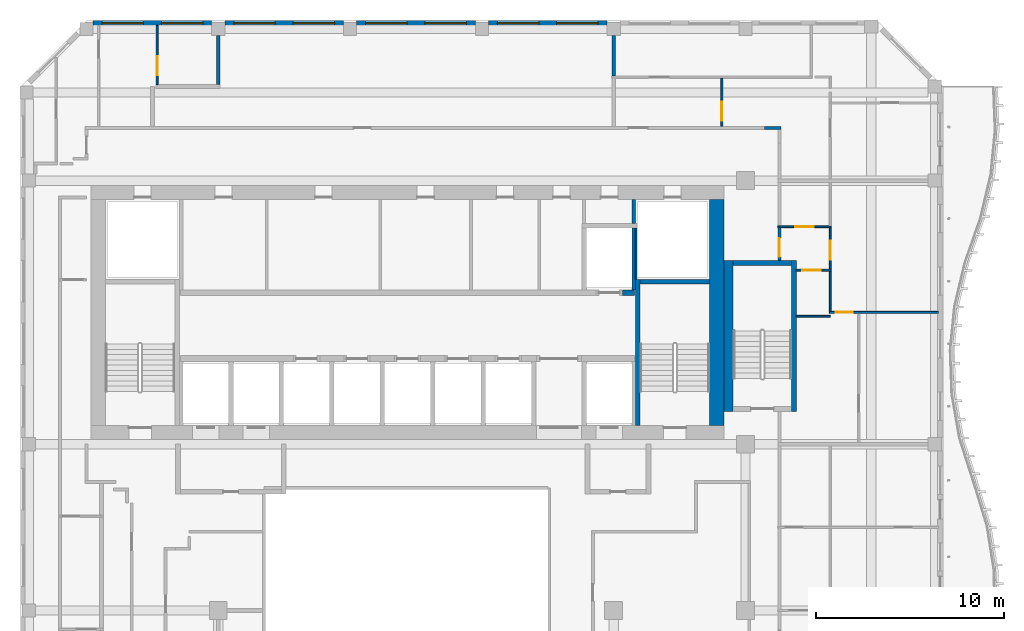
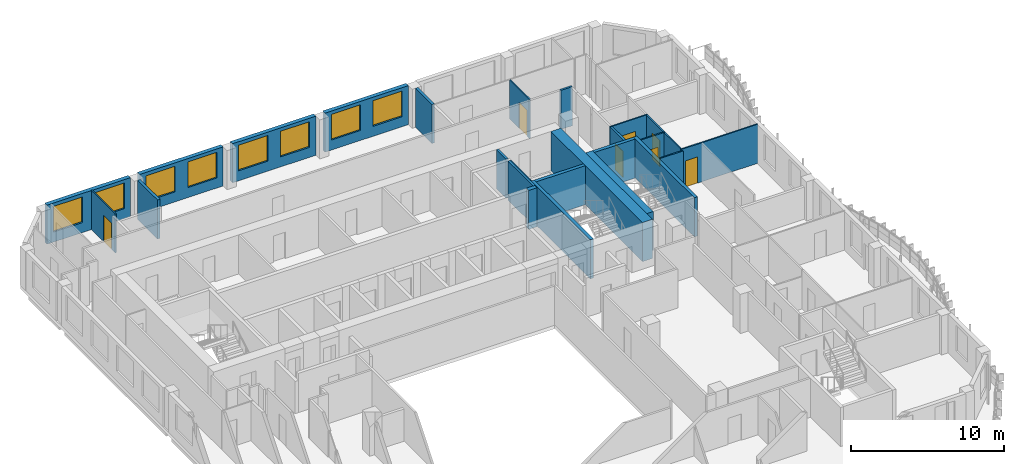
# One storey, part 8 of 19: 26 walls, 8 windows, 7 doors, 15 openings.
"""IFC4 building model written with IfcOpenShell, lengths in metres."""

from ifc_helpers import new_model, si_unit, direction, frame, frame_2d, origin, place, context, subcontext, project, spatial, rectangle, extrude, source, transform, mapped, material, layer, layer_set, type_object, element, fill, save


model = new_model("IFC4")

# Units and contexts
model_context = context("Model", 3, precision=1e-05, world=origin(), true_north=direction((0.0, 1.0)))
body_context = subcontext(model_context, "Body", "Model", "MODEL_VIEW")
ifc_project = project(units=[si_unit("LENGTHUNIT", "METRE"), si_unit("AREAUNIT", "SQUARE_METRE"), si_unit("VOLUMEUNIT", "CUBIC_METRE"), si_unit("PLANEANGLEUNIT", "RADIAN"), si_unit("MASSUNIT", "GRAM", prefix="KILO")], contexts=[model_context])

# Site, building, storey
site_placement = place(None, origin())
site = spatial("IfcSite", under=ifc_project, at=site_placement, CompositionType="ELEMENT")
building_placement = place(site_placement, origin())
building = spatial("IfcBuilding", under=site, at=building_placement, Name="Kilnfold Tower and Market Hall", CompositionType="ELEMENT")
storey_placement = place(building_placement, frame((0.0, 0.0, 242.39990234375)))
storey = spatial("IfcBuildingStorey", under=building, at=storey_placement, Name="L58", CompositionType="ELEMENT", Elevation=242.39990234375)

# Wall, opening, door
ifc_material_1 = material(Name="Gypsum board on steel studs", Category="steel")
ifc_layer_1 = layer(ifc_material_1, 0.14990234375)
ifc_layer_set_1 = layer_set([ifc_layer_1], Name="Gypsum board on steel studs")
wall_type_1 = type_object("IfcWallType", Name="WALL CORRIDOR 150", PredefinedType="PARTITIONING", material=ifc_layer_set_1)
wall_1_placement = place(storey_placement, frame((20.800048828125, 17.75, 0.0), z_axis=(0.0, 0.0, 1.0), x_axis=(0.0, 1.0, 0.0)))
wall_1 = element("IfcWall", 1, at=wall_1_placement, inside=storey, type_object=wall_type_1, Name="Partition LY35.17", PredefinedType="PARTITIONING", context=body_context, shape_type="SweptSolid", body=[
    extrude(rectangle(XDim=1.761962890625, YDim=0.14990234375, at=frame_2d((0.880859375, 0.0))), origin(), (0.0, 0.0, 1.0), 3.1201171875),
])
opening_1_placement = place(wall_1_placement, frame((0.199951171875, 0.0, 0.0)))
opening_1 = element("IfcOpeningElement", 2, at=opening_1_placement, cuts=wall_1, Name="Opening D1", PredefinedType="OPENING", context=body_context, shape_type="SweptSolid", body=[
    extrude(rectangle(XDim=1.0, YDim=2.10009765625, at=frame_2d((0.5, 1.050048828125))), frame((0.0, 0.0849609375, 0.0), z_axis=(0.0, -1.0, 0.0), x_axis=(1.0, 0.0, 0.0)), (0.0, 0.0, 1.0), 0.169921875),
])
ifc_material_2 = material(Name="Timber veneer door leaf in steel frame", Category="steel")
door_type_1 = type_object("IfcDoorType", Name="DOOR ENTRY 1000 X2100", OperationType="NOTDEFINED", PredefinedType="DOOR", material=ifc_material_2)
door_1_placement = place(opening_1_placement, origin())
door_1 = element("IfcDoor", 3, at=door_1_placement, inside=storey, type_object=door_type_1, Name="Door D1", OperationType="SINGLE_SWING_LEFT", OverallHeight=2.10009765625, OverallWidth=1.0, PredefinedType="DOOR", context=body_context, shape_type="SweptSolid", body=[
    extrude(rectangle(XDim=1.0, YDim=2.10009765625, at=frame_2d((0.5, 1.050048828125))), frame((0.0, 0.02490234375, 0.0), z_axis=(0.0, -1.0, 0.0), x_axis=(1.0, 0.0, 0.0)), (0.0, 0.0, 1.0), 0.050048828125),
])
fill(opening_1, door_1)

# Wall
wall_2_placement = place(storey_placement, frame((20.876953125, 24.802001953125, 0.0), z_axis=(0.0, 0.0, 1.0), x_axis=(-1.0, 0.0, 0.0)))
element("IfcWall", 4, at=wall_2_placement, inside=storey, type_object=wall_type_1, Name="Partition LY35.19", PredefinedType="PARTITIONING", context=body_context, shape_type="SweptSolid", body=[
    extrude(rectangle(XDim=0.87890625, YDim=0.14990234375, at=frame_2d((0.439453125, 0.0))), origin(), (0.0, 0.0, 1.0), 3.1201171875),
])

# Wall, opening, door
ifc_material_3 = material(Name="Gypsum board on steel studs", Category="steel")
ifc_layer_2 = layer(ifc_material_3, 0.10009765625)
ifc_layer_set_2 = layer_set([ifc_layer_2], Name="Gypsum board on steel studs")
wall_type_2 = type_object("IfcWallType", Name="WALL PARTITION 100", PredefinedType="PARTITIONING", material=ifc_layer_set_2)
wall_3_placement = place(storey_placement, frame((23.451904296875, 15.0, 0.0), z_axis=(0.0, 0.0, 1.0), x_axis=(1.0, 0.0, 0.0)))
wall_3 = element("IfcWall", 5, at=wall_3_placement, inside=storey, type_object=wall_type_2, Name="Partition LY35.81", PredefinedType="PARTITIONING", context=body_context, shape_type="SweptSolid", body=[
    extrude(rectangle(XDim=5.798095703125, YDim=0.10009765625, at=frame_2d((2.89892578125, 0.0))), origin(), (0.0, 0.0, 1.0), 3.1201171875),
])
opening_2_placement = place(wall_3_placement, frame((0.3369140625, 0.0, 0.0)))
opening_2 = element("IfcOpeningElement", 6, at=opening_2_placement, cuts=wall_3, Name="Opening D2", PredefinedType="OPENING", context=body_context, shape_type="SweptSolid", body=[
    extrude(rectangle(XDim=0.89990234375, YDim=2.10009765625, at=frame_2d((0.449951171875, 1.050048828125))), frame((0.0, 0.06005859375, 0.0), z_axis=(0.0, -1.0, 0.0), x_axis=(1.0, 0.0, 0.0)), (0.0, 0.0, 1.0), 0.1201171875),
])
ifc_material_4 = material(Name="Timber veneer door leaf in steel frame", Category="steel")
door_type_2 = type_object("IfcDoorType", Name="DOOR ROOM 900 X2100", OperationType="NOTDEFINED", PredefinedType="DOOR", material=ifc_material_4)
door_2_placement = place(opening_2_placement, origin())
door_2 = element("IfcDoor", 7, at=door_2_placement, inside=storey, type_object=door_type_2, Name="Door D2", OperationType="SINGLE_SWING_LEFT", OverallHeight=2.10009765625, OverallWidth=0.89990234375, PredefinedType="DOOR", context=body_context, shape_type="SweptSolid", body=[
    extrude(rectangle(XDim=0.89990234375, YDim=2.10009765625, at=frame_2d((0.449951171875, 1.050048828125))), frame((0.0, 0.02490234375, 0.0), z_axis=(0.0, -1.0, 0.0), x_axis=(1.0, 0.0, 0.0)), (0.0, 0.0, 1.0), 0.050048828125),
])
fill(opening_2, door_2)

# Walls
wall_4_placement = place(storey_placement, frame((23.5009765625, 14.798095703125, 0.0), z_axis=(0.0, 0.0, 1.0), x_axis=(-1.0, 0.0, 0.0)))
element("IfcWall", 8, at=wall_4_placement, inside=storey, type_object=wall_type_2, Name="Partition LY35.82", PredefinedType="PARTITIONING", context=body_context, shape_type="SweptSolid", body=[
    extrude(rectangle(XDim=1.801025390625, YDim=0.10009765625, at=frame_2d((0.900390625, 0.0))), origin(), (0.0, 0.0, 1.0), 3.1201171875),
])
wall_5_placement = place(storey_placement, frame((23.501953125, 15.050048828125, 0.0), z_axis=(0.0, 0.0, 1.0), x_axis=(0.0, 1.0, 0.0)))
element("IfcWall", 9, at=wall_5_placement, inside=storey, type_object=wall_type_2, Name="Partition LY35.83", PredefinedType="PARTITIONING", context=body_context, shape_type="SweptSolid", body=[
    extrude(rectangle(XDim=2.157958984375, YDim=0.10009765625, at=frame_2d((1.0791015625, 0.0))), origin(), (0.0, 0.0, 1.0), 3.1201171875),
])

# Wall, opening, door
wall_6_placement = place(storey_placement, frame((23.501953125, 17.2880859375, 0.0), z_axis=(0.0, 0.0, 1.0), x_axis=(0.0, 1.0, 0.0)))
wall_6 = element("IfcWall", 10, at=wall_6_placement, inside=storey, type_object=wall_type_2, Name="Partition LY35.84", PredefinedType="PARTITIONING", context=body_context, shape_type="SweptSolid", body=[
    extrude(rectangle(XDim=2.223876953125, YDim=0.10009765625, at=frame_2d((1.11181640625, 0.0))), origin(), (0.0, 0.0, 1.0), 3.1201171875),
])
opening_3_placement = place(wall_6_placement, frame((0.509033203125, 0.0, 0.0)))
opening_3 = element("IfcOpeningElement", 11, at=opening_3_placement, cuts=wall_6, Name="Opening D1", PredefinedType="OPENING", context=body_context, shape_type="SweptSolid", body=[
    extrude(rectangle(XDim=1.0, YDim=2.10009765625, at=frame_2d((0.5, 1.050048828125))), frame((0.0, 0.06005859375, 0.0), z_axis=(0.0, -1.0, 0.0), x_axis=(1.0, 0.0, 0.0)), (0.0, 0.0, 1.0), 0.1201171875),
])
door_3_placement = place(opening_3_placement, origin())
door_3 = element("IfcDoor", 12, at=door_3_placement, inside=storey, type_object=door_type_1, Name="Door D1", OperationType="SINGLE_SWING_LEFT", OverallHeight=2.10009765625, OverallWidth=1.0, PredefinedType="DOOR", context=body_context, shape_type="SweptSolid", body=[
    extrude(rectangle(XDim=1.0, YDim=2.10009765625, at=frame_2d((0.5, 1.050048828125))), frame((0.0, 0.02490234375, 0.0), z_axis=(0.0, -1.0, 0.0), x_axis=(1.0, 0.0, 0.0)), (0.0, 0.0, 1.0), 0.050048828125),
])
fill(opening_3, door_3)

wall_7_placement = place(storey_placement, frame((23.550048828125, 17.248046875, 0.0), z_axis=(0.0, 0.0, 1.0), x_axis=(-1.0, 0.0, 0.0)))
wall_7 = element("IfcWall", 13, at=wall_7_placement, inside=storey, type_object=wall_type_2, Name="Partition LY35.86", PredefinedType="PARTITIONING", context=body_context, shape_type="SweptSolid", body=[
    extrude(rectangle(XDim=1.85009765625, YDim=0.10009765625, at=frame_2d((0.925048828125, 0.0))), origin(), (0.0, 0.0, 1.0), 3.1201171875),
])
opening_4_placement = place(wall_7_placement, frame((0.5380859375, 0.0, 0.0)))
opening_4 = element("IfcOpeningElement", 14, at=opening_4_placement, cuts=wall_7, Name="Opening D1", PredefinedType="OPENING", context=body_context, shape_type="SweptSolid", body=[
    extrude(rectangle(XDim=1.0, YDim=2.10009765625, at=frame_2d((0.5, 1.050048828125))), frame((0.0, 0.06005859375, 0.0), z_axis=(0.0, -1.0, 0.0), x_axis=(1.0, 0.0, 0.0)), (0.0, 0.0, 1.0), 0.1201171875),
])
door_4_placement = place(opening_4_placement, origin())
door_4 = element("IfcDoor", 15, at=door_4_placement, inside=storey, type_object=door_type_1, Name="Door D1", OperationType="SINGLE_SWING_LEFT", OverallHeight=2.10009765625, OverallWidth=1.0, PredefinedType="DOOR", context=body_context, shape_type="SweptSolid", body=[
    extrude(rectangle(XDim=1.0, YDim=2.10009765625, at=frame_2d((0.5, 1.050048828125))), frame((0.0, 0.02490234375, 0.0), z_axis=(0.0, -1.0, 0.0), x_axis=(1.0, 0.0, 0.0)), (0.0, 0.0, 1.0), 0.050048828125),
])
fill(opening_4, door_4)

wall_8_placement = place(storey_placement, frame((23.550048828125, 19.552001953125, 0.0), z_axis=(0.0, 0.0, 1.0), x_axis=(-1.0, 0.0, 0.0)))
wall_8 = element("IfcWall", 16, at=wall_8_placement, inside=storey, type_object=wall_type_2, Name="Partition LY35.87", PredefinedType="PARTITIONING", context=body_context, shape_type="SweptSolid", body=[
    extrude(rectangle(XDim=2.822998046875, YDim=0.10009765625, at=frame_2d((1.41162109375, 0.0))), origin(), (0.0, 0.0, 1.0), 3.1201171875),
])
opening_5_placement = place(wall_8_placement, frame((0.912109375, 0.0, 0.0)))
opening_5 = element("IfcOpeningElement", 17, at=opening_5_placement, cuts=wall_8, Name="Opening D1", PredefinedType="OPENING", context=body_context, shape_type="SweptSolid", body=[
    extrude(rectangle(XDim=1.0, YDim=2.10009765625, at=frame_2d((0.5, 1.050048828125))), frame((0.0, 0.06005859375, 0.0), z_axis=(0.0, -1.0, 0.0), x_axis=(1.0, 0.0, 0.0)), (0.0, 0.0, 1.0), 0.1201171875),
])
door_5_placement = place(opening_5_placement, origin())
door_5 = element("IfcDoor", 18, at=door_5_placement, inside=storey, type_object=door_type_1, Name="Door D1", OperationType="SINGLE_SWING_RIGHT", OverallHeight=2.10009765625, OverallWidth=1.0, PredefinedType="DOOR", context=body_context, shape_type="SweptSolid", body=[
    extrude(rectangle(XDim=1.0, YDim=2.10009765625, at=frame_2d((0.5, 1.050048828125))), frame((0.0, 0.02490234375, 0.0), z_axis=(0.0, -1.0, 0.0), x_axis=(1.0, 0.0, 0.0)), (0.0, 0.0, 1.0), 0.050048828125),
])
fill(opening_5, door_5)

wall_9_placement = place(storey_placement, frame((17.75, 24.876953125, 0.0), z_axis=(0.0, 0.0, 1.0), x_axis=(0.0, 1.0, 0.0)))
wall_9 = element("IfcWall", 19, at=wall_9_placement, inside=storey, type_object=wall_type_2, Name="Partition LY35.89", PredefinedType="PARTITIONING", context=body_context, shape_type="SweptSolid", body=[
    extrude(rectangle(XDim=2.572998046875, YDim=0.10009765625, at=frame_2d((1.28662109375, 0.0))), origin(), (0.0, 0.0, 1.0), 3.1201171875),
])
opening_6_placement = place(wall_9_placement, frame((0.306884765625, 0.0, 0.0)))
opening_6 = element("IfcOpeningElement", 20, at=opening_6_placement, cuts=wall_9, Name="Opening D1", PredefinedType="OPENING", context=body_context, shape_type="SweptSolid", body=[
    extrude(rectangle(XDim=1.0, YDim=2.10009765625, at=frame_2d((0.5, 1.050048828125))), frame((0.0, 0.06005859375, 0.0), z_axis=(0.0, -1.0, 0.0), x_axis=(1.0, 0.0, 0.0)), (0.0, 0.0, 1.0), 0.1201171875),
])
door_6_placement = place(opening_6_placement, origin())
door_6 = element("IfcDoor", 21, at=door_6_placement, inside=storey, type_object=door_type_1, Name="Door D1", OperationType="SINGLE_SWING_RIGHT", OverallHeight=2.10009765625, OverallWidth=1.0, PredefinedType="DOOR", context=body_context, shape_type="SweptSolid", body=[
    extrude(rectangle(XDim=1.0, YDim=2.10009765625, at=frame_2d((0.5, 1.050048828125))), frame((0.0, 0.02490234375, 0.0), z_axis=(0.0, -1.0, 0.0), x_axis=(1.0, 0.0, 0.0)), (0.0, 0.0, 1.0), 0.050048828125),
])
fill(opening_6, door_6)

wall_10_placement = place(storey_placement, frame((-12.25, 27.10009765625, 0.0), z_axis=(0.0, 0.0, 1.0), x_axis=(0.0, 1.0, 0.0)))
wall_10 = element("IfcWall", 22, at=wall_10_placement, inside=storey, type_object=wall_type_2, Name="Partition LY35.104", PredefinedType="PARTITIONING", context=body_context, shape_type="SweptSolid", body=[
    extrude(rectangle(XDim=3.14990234375, YDim=0.10009765625, at=frame_2d((1.574951171875, 0.0))), origin(), (0.0, 0.0, 1.0), 3.1201171875),
])
opening_7_placement = place(wall_10_placement, frame((0.509033203125, 0.0, 0.0)))
opening_7 = element("IfcOpeningElement", 23, at=opening_7_placement, cuts=wall_10, Name="Opening D1", PredefinedType="OPENING", context=body_context, shape_type="SweptSolid", body=[
    extrude(rectangle(XDim=1.0, YDim=2.10009765625, at=frame_2d((0.5, 1.050048828125))), frame((0.0, 0.06005859375, 0.0), z_axis=(0.0, -1.0, 0.0), x_axis=(1.0, 0.0, 0.0)), (0.0, 0.0, 1.0), 0.1201171875),
])
door_7_placement = place(opening_7_placement, origin())
door_7 = element("IfcDoor", 24, at=door_7_placement, inside=storey, type_object=door_type_1, Name="Door D1", OperationType="SINGLE_SWING_RIGHT", OverallHeight=2.10009765625, OverallWidth=1.0, PredefinedType="DOOR", context=body_context, shape_type="SweptSolid", body=[
    extrude(rectangle(XDim=1.0, YDim=2.10009765625, at=frame_2d((0.5, 1.050048828125))), frame((0.0, 0.02490234375, 0.0), z_axis=(0.0, -1.0, 0.0), x_axis=(1.0, 0.0, 0.0)), (0.0, 0.0, 1.0), 0.050048828125),
])
fill(opening_7, door_7)

# Walls
ifc_material_5 = material(Name="Gypsum board on steel studs", Category="steel")
ifc_layer_3 = layer(ifc_material_5, 0.199951171875)
ifc_layer_set_3 = layer_set([ifc_layer_3], Name="Gypsum board on steel studs")
wall_type_3 = type_object("IfcWallType", Name="WALL PARTY 200", PredefinedType="PARTITIONING", material=ifc_layer_set_3)
wall_11_placement = place(storey_placement, frame((12.0, 27.552001953125, 0.0), z_axis=(0.0, 0.0, 1.0), x_axis=(0.0, 1.0, 0.0)))
element("IfcWall", 25, at=wall_11_placement, inside=storey, type_object=wall_type_3, Name="Partition LY35.97", PredefinedType="PARTITIONING", context=body_context, shape_type="SweptSolid", body=[
    extrude(rectangle(XDim=2.14794921875, YDim=0.199951171875, at=frame_2d((1.073974609375, 0.0))), origin(), (0.0, 0.0, 1.0), 3.1201171875),
])
wall_12_placement = place(storey_placement, frame((-9.0, 27.10009765625, 0.0), z_axis=(0.0, 0.0, 1.0), x_axis=(0.0, 1.0, 0.0)))
element("IfcWall", 26, at=wall_12_placement, inside=storey, type_object=wall_type_3, Name="Partition LY35.101", PredefinedType="PARTITIONING", context=body_context, shape_type="SweptSolid", body=[
    extrude(rectangle(XDim=2.599853515625, YDim=0.199951171875, at=frame_2d((1.2998046875, 0.0))), origin(), (0.0, 0.0, 1.0), 3.1201171875),
])
ifc_material_6 = material(Name="Concrete C60", Category="concrete")
ifc_layer_4 = layer(ifc_material_6, 0.25)
ifc_layer_set_4 = layer_set([ifc_layer_4], Name="Concrete C60")
wall_type_4 = type_object("IfcWallType", Name="CORE WALL 250 C60", PredefinedType="SHEAR", material=ifc_layer_set_4)
shared_shape_1 = source(origin(), body_context, "Body", "SweptSolid", [
    extrude(rectangle(XDim=7.75, YDim=0.25, at=frame_2d((3.875, 0.0))), origin(), (0.0, 0.0, 1.0), 3.1201171875),
])
wall_13_placement = place(storey_placement, frame((13.27490234375, 9.0, 0.0), z_axis=(0.0, 0.0, 1.0), x_axis=(0.0, 1.0, 0.0)))
element("IfcWall", 27, at=wall_13_placement, inside=storey, type_object=wall_type_4, Name="Stair enclosure ST2", PredefinedType="SHEAR", context=body_context, shape_type="MappedRepresentation", body=[
    mapped(shared_shape_1, transform((0.0, 0.0, 0.0))),
])
shared_shape_2 = source(origin(), body_context, "Body", "SweptSolid", [
    extrude(rectangle(XDim=3.7001953125, YDim=0.25, at=frame_2d((1.85009765625, 0.0))), origin(), (0.0, 0.0, 1.0), 3.1201171875),
])
wall_14_placement = place(storey_placement, frame((13.39990234375, 16.625, 0.0), z_axis=(0.0, 0.0, 1.0), x_axis=(1.0, 0.0, 0.0)))
element("IfcWall", 28, at=wall_14_placement, inside=storey, type_object=wall_type_4, Name="Stair enclosure ST2", PredefinedType="SHEAR", context=body_context, shape_type="MappedRepresentation", body=[
    mapped(shared_shape_2, transform((0.0, 0.0, 0.0))),
])
shared_shape_3 = source(origin(), body_context, "Body", "SweptSolid", [
    extrude(rectangle(XDim=8.0, YDim=0.25, at=frame_2d((4.0, 0.0))), origin(), (0.0, 0.0, 1.0), 3.1201171875),
])
wall_15_placement = place(storey_placement, frame((21.574951171875, 9.75, 0.0), z_axis=(0.0, 0.0, 1.0), x_axis=(0.0, 1.0, 0.0)))
element("IfcWall", 29, at=wall_15_placement, inside=storey, type_object=wall_type_4, Name="Stair enclosure ST5", PredefinedType="SHEAR", context=body_context, shape_type="MappedRepresentation", body=[
    mapped(shared_shape_3, transform((0.0, 0.0, 0.0))),
])
shared_shape_4 = source(origin(), body_context, "Body", "SweptSolid", [
    extrude(rectangle(XDim=3.099853515625, YDim=0.25, at=frame_2d((1.5498046875, 0.0))), origin(), (0.0, 0.0, 1.0), 3.1201171875),
])
wall_16_placement = place(storey_placement, frame((18.35009765625, 17.625, 0.0), z_axis=(0.0, 0.0, 1.0), x_axis=(1.0, 0.0, 0.0)))
element("IfcWall", 30, at=wall_16_placement, inside=storey, type_object=wall_type_4, Name="Stair enclosure ST5", PredefinedType="SHEAR", context=body_context, shape_type="MappedRepresentation", body=[
    mapped(shared_shape_4, transform((0.0, 0.0, 0.0))),
])
ifc_material_7 = material(Name="Concrete C60", Category="concrete")
ifc_layer_5 = layer(ifc_material_7, 0.300048828125)
ifc_layer_set_5 = layer_set([ifc_layer_5], Name="Concrete C60")
wall_type_5 = type_object("IfcWallType", Name="CORE WALL 300 C60", PredefinedType="SHEAR", material=ifc_layer_set_5)
shared_shape_5 = source(origin(), body_context, "Body", "SweptSolid", [
    extrude(rectangle(XDim=0.64013671875, YDim=0.300048828125, at=frame_2d((0.320068359375, 0.0))), origin(), (0.0, 0.0, 1.0), 3.1201171875),
])
wall_17_placement = place(storey_placement, frame((12.469970703125, 16.050048828125, 0.0), z_axis=(0.0, 0.0, 1.0), x_axis=(1.0, 0.0, 0.0)))
element("IfcWall", 31, at=wall_17_placement, inside=storey, type_object=wall_type_5, Name="Core spine wall", PredefinedType="SHEAR", context=body_context, shape_type="MappedRepresentation", body=[
    mapped(shared_shape_5, transform((0.0, 0.0, 0.0))),
])
ifc_material_8 = material(Name="Concrete C60", Category="concrete")
ifc_layer_6 = layer(ifc_material_8, 0.75)
ifc_layer_set_6 = layer_set([ifc_layer_6], Name="Concrete C60")
wall_type_6 = type_object("IfcWallType", Name="CORE WALL 750 C60", PredefinedType="SHEAR", material=ifc_layer_set_6)
shared_shape_6 = source(origin(), body_context, "Body", "SweptSolid", [
    extrude(rectangle(XDim=12.0, YDim=0.75, at=frame_2d((6.0, 0.0))), origin(), (0.0, 0.0, 1.0), 3.1201171875),
])
wall_18_placement = place(storey_placement, frame((17.47509765625, 9.0, 0.0), z_axis=(0.0, 0.0, 1.0), x_axis=(0.0, 1.0, 0.0)))
element("IfcWall", 32, at=wall_18_placement, inside=storey, type_object=wall_type_6, Name="Core outer wall east", PredefinedType="SHEAR", context=body_context, shape_type="MappedRepresentation", body=[
    mapped(shared_shape_6, transform((0.0, 0.0, 0.0))),
])
ifc_material_9 = material(Name="Concrete C60", Category="concrete")
ifc_layer_7 = layer(ifc_material_9, 0.5)
ifc_layer_set_7 = layer_set([ifc_layer_7], Name="Concrete C60")
wall_type_7 = type_object("IfcWallType", Name="CORE WALL 500 C60", PredefinedType="SHEAR", material=ifc_layer_set_7)
shared_shape_7 = source(origin(), body_context, "Body", "SweptSolid", [
    extrude(rectangle(XDim=8.0, YDim=0.5, at=frame_2d((4.0, 0.0))), origin(), (0.0, 0.0, 1.0), 3.1201171875),
])
wall_19_placement = place(storey_placement, frame((18.10009765625, 9.75, 0.0), z_axis=(0.0, 0.0, 1.0), x_axis=(0.0, 1.0, 0.0)))
element("IfcWall", 33, at=wall_19_placement, inside=storey, type_object=wall_type_7, Name="Stair enclosure ST5", PredefinedType="SHEAR", context=body_context, shape_type="MappedRepresentation", body=[
    mapped(shared_shape_7, transform((0.0, 0.0, 0.0))),
])

# Wall, openings, windows
ifc_material_10 = material(Name="Precast concrete C50/60", Category="concrete")
ifc_layer_8 = layer(ifc_material_10, 0.300048828125)
ifc_layer_set_8 = layer_set([ifc_layer_8], Name="Precast concrete C50/60")
wall_type_8 = type_object("IfcWallType", Name="PRECAST WALL 300", PredefinedType="SOLIDWALL", material=ifc_layer_set_8)
shared_shape_8 = source(origin(), body_context, "Body", "SweptSolid", [
    extrude(rectangle(XDim=6.2998046875, YDim=0.300048828125, at=frame_2d((3.14990234375, 0.0))), origin(), (0.0, 0.0, 1.0), 3.1201171875),
])
wall_20_placement = place(storey_placement, frame((11.64990234375, 30.35009765625, 0.0), z_axis=(0.0, 0.0, 1.0), x_axis=(-1.0, 0.0, 0.0)))
wall_20 = element("IfcWall", 34, at=wall_20_placement, inside=storey, type_object=wall_type_8, Name="External wall L58 N", PredefinedType="SOLIDWALL", context=body_context, shape_type="MappedRepresentation", body=[
    mapped(shared_shape_8, transform((0.0, 0.0, 0.0))),
])
opening_8_placement = place(wall_20_placement, frame((0.47509765625, 0.0, 0.800048828125)))
opening_8 = element("IfcOpeningElement", 35, at=opening_8_placement, cuts=wall_20, Name="Opening W3", PredefinedType="OPENING", context=body_context, shape_type="SweptSolid", body=[
    extrude(rectangle(XDim=2.199951171875, YDim=2.050048828125, at=frame_2d((1.10009765625, 1.02490234375))), frame((0.0, 0.16015625, 0.0), z_axis=(0.0, -1.0, 0.0), x_axis=(1.0, 0.0, 0.0)), (0.0, 0.0, 1.0), 0.320068359375),
])
opening_9_placement = place(wall_20_placement, frame((3.625, 0.0, 0.800048828125)))
opening_9 = element("IfcOpeningElement", 36, at=opening_9_placement, cuts=wall_20, Name="Opening W3", PredefinedType="OPENING", context=body_context, shape_type="SweptSolid", body=[
    extrude(rectangle(XDim=2.199951171875, YDim=2.050048828125, at=frame_2d((1.10009765625, 1.02490234375))), frame((0.0, 0.16015625, 0.0), z_axis=(0.0, -1.0, 0.0), x_axis=(1.0, 0.0, 0.0)), (0.0, 0.0, 1.0), 0.320068359375),
])
ifc_material_11 = material(Name="Aluminium frame and double glazing", Category="aluminium")
window_type = type_object("IfcWindowType", Name="WINDOW W3 2200X2050", PartitioningType="SINGLE_PANEL", PredefinedType="WINDOW", material=ifc_material_11)
window_1_placement = place(opening_8_placement, origin())
window_1 = element("IfcWindow", 37, at=window_1_placement, inside=storey, type_object=window_type, Name="Window W3 L58 N-1", OverallHeight=2.050048828125, OverallWidth=2.199951171875, PartitioningType="SINGLE_PANEL", PredefinedType="WINDOW", context=body_context, shape_type="SweptSolid", body=[
    extrude(rectangle(XDim=2.199951171875, YDim=2.050048828125, at=frame_2d((1.10009765625, 1.02490234375))), frame((0.0, 0.030029296875, 0.0), z_axis=(0.0, -1.0, 0.0), x_axis=(1.0, 0.0, 0.0)), (0.0, 0.0, 1.0), 0.06005859375),
])
fill(opening_8, window_1)
window_2_placement = place(opening_9_placement, origin())
window_2 = element("IfcWindow", 38, at=window_2_placement, inside=storey, type_object=window_type, Name="Window W3 L58 N-2", OverallHeight=2.050048828125, OverallWidth=2.199951171875, PartitioningType="SINGLE_PANEL", PredefinedType="WINDOW", context=body_context, shape_type="SweptSolid", body=[
    extrude(rectangle(XDim=2.199951171875, YDim=2.050048828125, at=frame_2d((1.10009765625, 1.02490234375))), frame((0.0, 0.030029296875, 0.0), z_axis=(0.0, -1.0, 0.0), x_axis=(1.0, 0.0, 0.0)), (0.0, 0.0, 1.0), 0.06005859375),
])
fill(opening_9, window_2)

wall_21_placement = place(storey_placement, frame((4.64990234375, 30.35009765625, 0.0), z_axis=(0.0, 0.0, 1.0), x_axis=(-1.0, 0.0, 0.0)))
wall_21 = element("IfcWall", 39, at=wall_21_placement, inside=storey, type_object=wall_type_8, Name="External wall L58 N", PredefinedType="SOLIDWALL", context=body_context, shape_type="MappedRepresentation", body=[
    mapped(shared_shape_8, transform((0.0, 0.0, 0.0))),
])
opening_10_placement = place(wall_21_placement, frame((0.47509765625, 0.0, 0.800048828125)))
opening_10 = element("IfcOpeningElement", 40, at=opening_10_placement, cuts=wall_21, Name="Opening W3", PredefinedType="OPENING", context=body_context, shape_type="SweptSolid", body=[
    extrude(rectangle(XDim=2.199951171875, YDim=2.050048828125, at=frame_2d((1.10009765625, 1.02490234375))), frame((0.0, 0.16015625, 0.0), z_axis=(0.0, -1.0, 0.0), x_axis=(1.0, 0.0, 0.0)), (0.0, 0.0, 1.0), 0.320068359375),
])
opening_11_placement = place(wall_21_placement, frame((3.625, 0.0, 0.800048828125)))
opening_11 = element("IfcOpeningElement", 41, at=opening_11_placement, cuts=wall_21, Name="Opening W3", PredefinedType="OPENING", context=body_context, shape_type="SweptSolid", body=[
    extrude(rectangle(XDim=2.199951171875, YDim=2.050048828125, at=frame_2d((1.10009765625, 1.02490234375))), frame((0.0, 0.16015625, 0.0), z_axis=(0.0, -1.0, 0.0), x_axis=(1.0, 0.0, 0.0)), (0.0, 0.0, 1.0), 0.320068359375),
])
window_3_placement = place(opening_10_placement, origin())
window_3 = element("IfcWindow", 42, at=window_3_placement, inside=storey, type_object=window_type, Name="Window W3 L58 N-1", OverallHeight=2.050048828125, OverallWidth=2.199951171875, PartitioningType="SINGLE_PANEL", PredefinedType="WINDOW", context=body_context, shape_type="SweptSolid", body=[
    extrude(rectangle(XDim=2.199951171875, YDim=2.050048828125, at=frame_2d((1.10009765625, 1.02490234375))), frame((0.0, 0.030029296875, 0.0), z_axis=(0.0, -1.0, 0.0), x_axis=(1.0, 0.0, 0.0)), (0.0, 0.0, 1.0), 0.06005859375),
])
fill(opening_10, window_3)
window_4_placement = place(opening_11_placement, origin())
window_4 = element("IfcWindow", 43, at=window_4_placement, inside=storey, type_object=window_type, Name="Window W3 L58 N-2", OverallHeight=2.050048828125, OverallWidth=2.199951171875, PartitioningType="SINGLE_PANEL", PredefinedType="WINDOW", context=body_context, shape_type="SweptSolid", body=[
    extrude(rectangle(XDim=2.199951171875, YDim=2.050048828125, at=frame_2d((1.10009765625, 1.02490234375))), frame((0.0, 0.030029296875, 0.0), z_axis=(0.0, -1.0, 0.0), x_axis=(1.0, 0.0, 0.0)), (0.0, 0.0, 1.0), 0.06005859375),
])
fill(opening_11, window_4)

wall_22_placement = place(storey_placement, frame((-2.35009765625, 30.35009765625, 0.0), z_axis=(0.0, 0.0, 1.0), x_axis=(-1.0, 0.0, 0.0)))
wall_22 = element("IfcWall", 44, at=wall_22_placement, inside=storey, type_object=wall_type_8, Name="External wall L58 N", PredefinedType="SOLIDWALL", context=body_context, shape_type="MappedRepresentation", body=[
    mapped(shared_shape_8, transform((0.0, 0.0, 0.0))),
])
opening_12_placement = place(wall_22_placement, frame((0.47509765625, 0.0, 0.800048828125)))
opening_12 = element("IfcOpeningElement", 45, at=opening_12_placement, cuts=wall_22, Name="Opening W3", PredefinedType="OPENING", context=body_context, shape_type="SweptSolid", body=[
    extrude(rectangle(XDim=2.199951171875, YDim=2.050048828125, at=frame_2d((1.10009765625, 1.02490234375))), frame((0.0, 0.16015625, 0.0), z_axis=(0.0, -1.0, 0.0), x_axis=(1.0, 0.0, 0.0)), (0.0, 0.0, 1.0), 0.320068359375),
])
opening_13_placement = place(wall_22_placement, frame((3.625, 0.0, 0.800048828125)))
opening_13 = element("IfcOpeningElement", 46, at=opening_13_placement, cuts=wall_22, Name="Opening W3", PredefinedType="OPENING", context=body_context, shape_type="SweptSolid", body=[
    extrude(rectangle(XDim=2.199951171875, YDim=2.050048828125, at=frame_2d((1.10009765625, 1.02490234375))), frame((0.0, 0.16015625, 0.0), z_axis=(0.0, -1.0, 0.0), x_axis=(1.0, 0.0, 0.0)), (0.0, 0.0, 1.0), 0.320068359375),
])
window_5_placement = place(opening_12_placement, origin())
window_5 = element("IfcWindow", 47, at=window_5_placement, inside=storey, type_object=window_type, Name="Window W3 L58 N-1", OverallHeight=2.050048828125, OverallWidth=2.199951171875, PartitioningType="SINGLE_PANEL", PredefinedType="WINDOW", context=body_context, shape_type="SweptSolid", body=[
    extrude(rectangle(XDim=2.199951171875, YDim=2.050048828125, at=frame_2d((1.10009765625, 1.02490234375))), frame((0.0, 0.030029296875, 0.0), z_axis=(0.0, -1.0, 0.0), x_axis=(1.0, 0.0, 0.0)), (0.0, 0.0, 1.0), 0.06005859375),
])
fill(opening_12, window_5)
window_6_placement = place(opening_13_placement, origin())
window_6 = element("IfcWindow", 48, at=window_6_placement, inside=storey, type_object=window_type, Name="Window W3 L58 N-2", OverallHeight=2.050048828125, OverallWidth=2.199951171875, PartitioningType="SINGLE_PANEL", PredefinedType="WINDOW", context=body_context, shape_type="SweptSolid", body=[
    extrude(rectangle(XDim=2.199951171875, YDim=2.050048828125, at=frame_2d((1.10009765625, 1.02490234375))), frame((0.0, 0.030029296875, 0.0), z_axis=(0.0, -1.0, 0.0), x_axis=(1.0, 0.0, 0.0)), (0.0, 0.0, 1.0), 0.06005859375),
])
fill(opening_13, window_6)

wall_23_placement = place(storey_placement, frame((-9.35009765625, 30.35009765625, 0.0), z_axis=(0.0, 0.0, 1.0), x_axis=(-1.0, 0.0, 0.0)))
wall_23 = element("IfcWall", 49, at=wall_23_placement, inside=storey, type_object=wall_type_8, Name="External wall L58 N", PredefinedType="SOLIDWALL", context=body_context, shape_type="MappedRepresentation", body=[
    mapped(shared_shape_8, transform((0.0, 0.0, 0.0))),
])
opening_14_placement = place(wall_23_placement, frame((0.47509765625, 0.0, 0.800048828125)))
opening_14 = element("IfcOpeningElement", 50, at=opening_14_placement, cuts=wall_23, Name="Opening W3", PredefinedType="OPENING", context=body_context, shape_type="SweptSolid", body=[
    extrude(rectangle(XDim=2.199951171875, YDim=2.050048828125, at=frame_2d((1.10009765625, 1.02490234375))), frame((0.0, 0.16015625, 0.0), z_axis=(0.0, -1.0, 0.0), x_axis=(1.0, 0.0, 0.0)), (0.0, 0.0, 1.0), 0.320068359375),
])
opening_15_placement = place(wall_23_placement, frame((3.625, 0.0, 0.800048828125)))
opening_15 = element("IfcOpeningElement", 51, at=opening_15_placement, cuts=wall_23, Name="Opening W3", PredefinedType="OPENING", context=body_context, shape_type="SweptSolid", body=[
    extrude(rectangle(XDim=2.199951171875, YDim=2.050048828125, at=frame_2d((1.10009765625, 1.02490234375))), frame((0.0, 0.16015625, 0.0), z_axis=(0.0, -1.0, 0.0), x_axis=(1.0, 0.0, 0.0)), (0.0, 0.0, 1.0), 0.320068359375),
])
window_7_placement = place(opening_14_placement, origin())
window_7 = element("IfcWindow", 52, at=window_7_placement, inside=storey, type_object=window_type, Name="Window W3 L58 N-1", OverallHeight=2.050048828125, OverallWidth=2.199951171875, PartitioningType="SINGLE_PANEL", PredefinedType="WINDOW", context=body_context, shape_type="SweptSolid", body=[
    extrude(rectangle(XDim=2.199951171875, YDim=2.050048828125, at=frame_2d((1.10009765625, 1.02490234375))), frame((0.0, 0.030029296875, 0.0), z_axis=(0.0, -1.0, 0.0), x_axis=(1.0, 0.0, 0.0)), (0.0, 0.0, 1.0), 0.06005859375),
])
fill(opening_14, window_7)
window_8_placement = place(opening_15_placement, origin())
window_8 = element("IfcWindow", 53, at=window_8_placement, inside=storey, type_object=window_type, Name="Window W3 L58 N-2", OverallHeight=2.050048828125, OverallWidth=2.199951171875, PartitioningType="SINGLE_PANEL", PredefinedType="WINDOW", context=body_context, shape_type="SweptSolid", body=[
    extrude(rectangle(XDim=2.199951171875, YDim=2.050048828125, at=frame_2d((1.10009765625, 1.02490234375))), frame((0.0, 0.030029296875, 0.0), z_axis=(0.0, -1.0, 0.0), x_axis=(1.0, 0.0, 0.0)), (0.0, 0.0, 1.0), 0.06005859375),
])
fill(opening_15, window_8)

# Walls
ifc_material_12 = material(Name="Gypsum shaft wall system")
ifc_layer_9 = layer(ifc_material_12, 0.1650390625)
ifc_layer_set_9 = layer_set([ifc_layer_9], Name="Gypsum shaft wall system")
wall_type_9 = type_object("IfcWallType", Name="SHAFT WALL 165", PredefinedType="PARTITIONING", material=ifc_layer_set_9)
shared_shape_9 = source(origin(), body_context, "Body", "SweptSolid", [
    extrude(rectangle(XDim=3.275146484375, YDim=0.1650390625, at=frame_2d((1.6376953125, 0.0))), origin(), (0.0, 0.0, 1.0), 3.1201171875),
])
wall_24_placement = place(storey_placement, frame((13.0673828125, 16.199951171875, 0.0), z_axis=(0.0, 0.0, 1.0), x_axis=(0.0, 1.0, 0.0)))
element("IfcWall", 54, at=wall_24_placement, inside=storey, type_object=wall_type_9, Name="Lift shaft wall", PredefinedType="PARTITIONING", context=body_context, shape_type="MappedRepresentation", body=[
    mapped(shared_shape_9, transform((0.0, 0.0, 0.0))),
])
shared_shape_10 = source(origin(), body_context, "Body", "SweptSolid", [
    extrude(rectangle(XDim=1.27490234375, YDim=0.1650390625, at=frame_2d((0.637451171875, 0.0))), origin(), (0.0, 0.0, 1.0), 3.1201171875),
])
wall_25_placement = place(storey_placement, frame((13.0673828125, 19.72509765625, 0.0), z_axis=(0.0, 0.0, 1.0), x_axis=(0.0, 1.0, 0.0)))
element("IfcWall", 55, at=wall_25_placement, inside=storey, type_object=wall_type_9, Name="Lift shaft wall", PredefinedType="PARTITIONING", context=body_context, shape_type="MappedRepresentation", body=[
    mapped(shared_shape_10, transform((0.0, 0.0, 0.0))),
])
ifc_material_13 = material(Name="Gypsum shaft wall system")
ifc_layer_10 = layer(ifc_material_13, 0.0849609375)
ifc_layer_set_10 = layer_set([ifc_layer_10], Name="Gypsum shaft wall system")
wall_type_10 = type_object("IfcWallType", Name="SHAFT WALL 85", PredefinedType="PARTITIONING", material=ifc_layer_set_10)
shared_shape_11 = source(origin(), body_context, "Body", "SweptSolid", [
    extrude(rectangle(XDim=2.72509765625, YDim=0.0849609375, at=frame_2d((1.362548828125, 0.0))), origin(), (0.0, 0.0, 1.0), 3.1201171875),
])
wall_26_placement = place(storey_placement, frame((13.1923828125, 16.75, 0.0), z_axis=(0.0, 0.0, 1.0), x_axis=(0.0, 1.0, 0.0)))
element("IfcWall", 56, at=wall_26_placement, inside=storey, type_object=wall_type_10, Name="Lift shaft wall", PredefinedType="PARTITIONING", context=body_context, shape_type="MappedRepresentation", body=[
    mapped(shared_shape_11, transform((0.0, 0.0, 0.0))),
])

save(model, "model.ifc")
